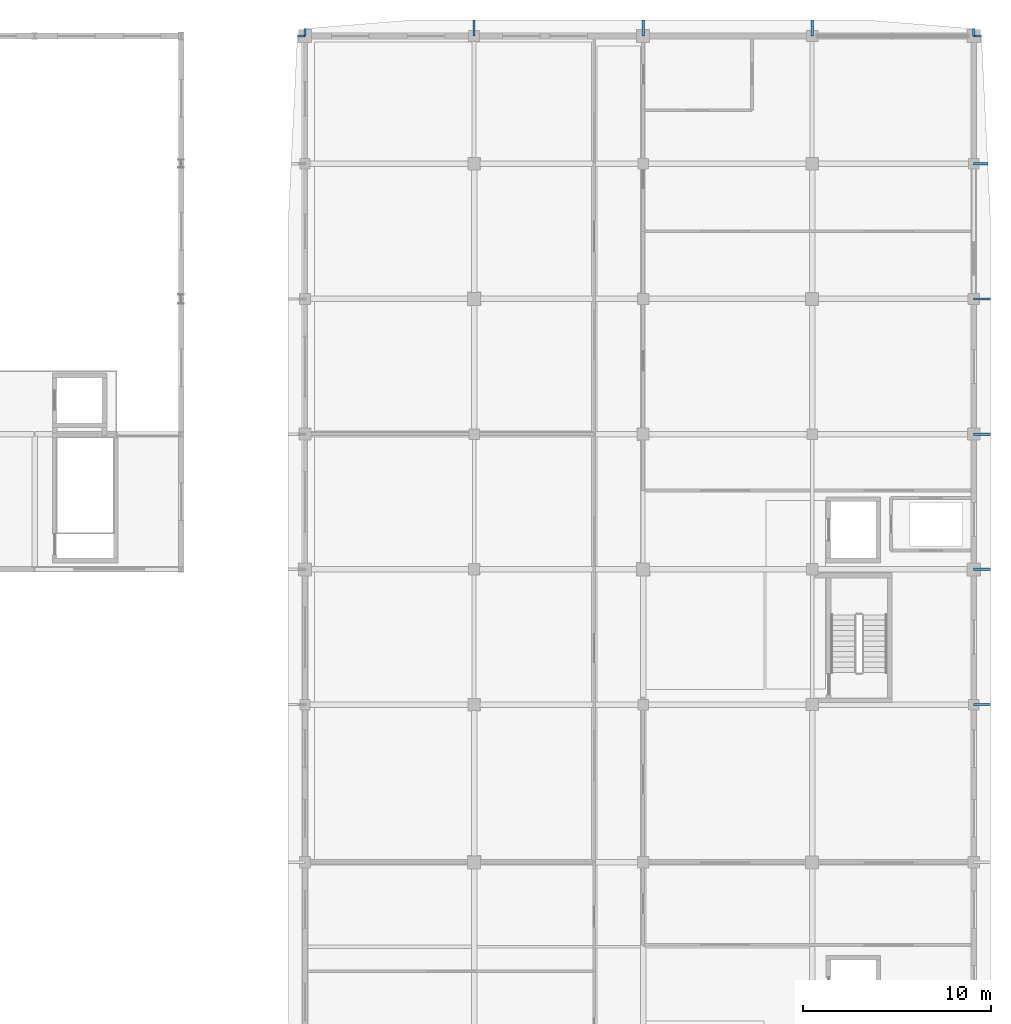
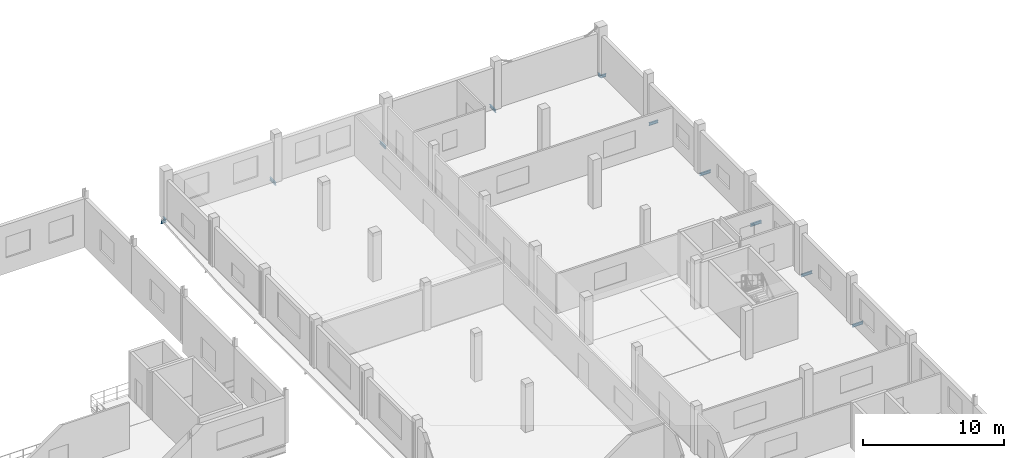
# One storey, part 78 of 121: 12 beams.
"""IFC4 building model written with IfcOpenShell, lengths in metres."""

from ifc_helpers import new_model, si_unit, direction, frame, origin, origin_2d, place, context, subcontext, project, spatial, i_section, extrude, material, material_profile, profile_set, type_object, element, save


model = new_model("IFC4")

# Units and contexts
model_context = context("Model", 3, precision=1e-05, world=origin(), true_north=direction((0.0, 1.0)))
body_context = subcontext(model_context, "Body", "Model", "MODEL_VIEW")
ifc_project = project(units=[si_unit("LENGTHUNIT", "METRE"), si_unit("AREAUNIT", "SQUARE_METRE"), si_unit("VOLUMEUNIT", "CUBIC_METRE"), si_unit("PLANEANGLEUNIT", "RADIAN"), si_unit("MASSUNIT", "GRAM", prefix="KILO")], contexts=[model_context])

# Site, building, storey
site_placement = place(None, origin())
site = spatial("IfcSite", under=ifc_project, at=site_placement, CompositionType="ELEMENT")
building_placement = place(site_placement, origin())
building = spatial("IfcBuilding", under=site, at=building_placement, Name="Vinh Khe Railworks Police Headquarters", CompositionType="ELEMENT")
storey_placement = place(building_placement, frame((0.0, 0.0, 4.800048828125)))
storey = spatial("IfcBuildingStorey", under=building, at=storey_placement, Name="L01", CompositionType="ELEMENT", Elevation=4.800048828125)

# Beams
ifc_material = material(Name="Steel S355JR", Category="steel")
ifc_material_profile = material_profile(ifc_material, i_section(OverallWidth=0.1201171875, OverallDepth=0.239990234375, WebThickness=0.006103515625, FlangeThickness=0.009765625, FilletRadius=0.014892578125, at=origin_2d()), Name="IPE 240")
ifc_profile_set = profile_set([ifc_material_profile], Name="Steel S355JR")
beam_type = type_object("IfcBeamType", Name="Monsoon Hood Outrigger IPE 240", PredefinedType="BEAM", material=ifc_profile_set)
beam_1_placement = place(storey_placement, frame((77.58740234375, 166.39990234375, -0.360107421875), z_axis=(1.0, 0.0, 0.0), x_axis=(0.0, 1.0, 0.0)))
element("IfcBeam", 1, at=beam_1_placement, inside=storey, type_object=beam_type, Name="Monsoon Sun-Hood Outrigger L01-153", PredefinedType="BEAM", context=body_context, shape_type="SweptSolid", body=[
    extrude(i_section(OverallWidth=0.1201171875, OverallDepth=0.239990234375, WebThickness=0.006103515625, FlangeThickness=0.009765625, FilletRadius=0.014892578125, at=origin_2d()), origin(), (0.0, 0.0, 1.0), 0.41259765625),
])
for number, where, z_axis, x_axis, name in (
    (2, (113.60009765625, 130.800048828125, -0.360107421875), (1.0, 0.0, 0.0), (0.0, 1.0, 0.0), "Monsoon Sun-Hood Outrigger L01-157"),
    (3, (113.60009765625, 138.0, -0.360107421875), (1.0, 0.0, 0.0), (0.0, 1.0, 0.0), "Monsoon Sun-Hood Outrigger L01-158"),
    (4, (113.60009765625, 145.199951171875, -0.360107421875), (1.0, 0.0, 0.0), (0.0, 1.0, 0.0), "Monsoon Sun-Hood Outrigger L01-159"),
    (5, (113.60009765625, 152.39990234375, -0.360107421875), (1.0, 0.0, 0.0), (0.0, 1.0, 0.0), "Monsoon Sun-Hood Outrigger L01-160"),
):
    element("IfcBeam", number, at=place(storey_placement, frame(where, z_axis=z_axis, x_axis=x_axis)), inside=storey, type_object=beam_type, Name=name, PredefinedType="BEAM", context=body_context, shape_type="SweptSolid", body=[
        extrude(i_section(OverallWidth=0.1201171875, OverallDepth=0.239990234375, WebThickness=0.006103515625, FlangeThickness=0.009765625, FilletRadius=0.014892578125, at=origin_2d()), origin(), (0.0, 0.0, 1.0), 0.89990234375),
    ])
beam_2_placement = place(storey_placement, frame((113.60009765625, 159.60009765625, -0.360107421875), z_axis=(1.0, 0.0, 0.0), x_axis=(0.0, 1.0, 0.0)))
element("IfcBeam", 6, at=beam_2_placement, inside=storey, type_object=beam_type, Name="Monsoon Sun-Hood Outrigger L01-161", PredefinedType="BEAM", context=body_context, shape_type="SweptSolid", body=[
    extrude(i_section(OverallWidth=0.1201171875, OverallDepth=0.239990234375, WebThickness=0.006103515625, FlangeThickness=0.009765625, FilletRadius=0.014892578125, at=origin_2d()), origin(), (0.0, 0.0, 1.0), 0.749755859375),
])
beam_3_placement = place(storey_placement, frame((113.60009765625, 166.39990234375, -0.360107421875), z_axis=(1.0, 0.0, 0.0), x_axis=(0.0, 1.0, 0.0)))
element("IfcBeam", 7, at=beam_3_placement, inside=storey, type_object=beam_type, Name="Monsoon Sun-Hood Outrigger L01-162", PredefinedType="BEAM", context=body_context, shape_type="SweptSolid", body=[
    extrude(i_section(OverallWidth=0.1201171875, OverallDepth=0.239990234375, WebThickness=0.006103515625, FlangeThickness=0.009765625, FilletRadius=0.014892578125, at=origin_2d()), origin(), (0.0, 0.0, 1.0), 0.4189453125),
])
beam_4_placement = place(storey_placement, frame((78.0, 166.39990234375, -0.360107421875), z_axis=(0.0, 1.0, 0.0), x_axis=(-1.0, 0.0, 0.0)))
element("IfcBeam", 8, at=beam_4_placement, inside=storey, type_object=beam_type, Name="Monsoon Sun-Hood Outrigger L01-163", PredefinedType="BEAM", context=body_context, shape_type="SweptSolid", body=[
    extrude(i_section(OverallWidth=0.1201171875, OverallDepth=0.239990234375, WebThickness=0.006103515625, FlangeThickness=0.009765625, FilletRadius=0.014892578125, at=origin_2d()), origin(), (0.0, 0.0, 1.0), 0.388671875),
])
for number, where, z_axis, x_axis, name in (
    (9, (87.0, 166.39990234375, -0.360107421875), (0.0, 1.0, 0.0), (-1.0, 0.0, 0.0), "Monsoon Sun-Hood Outrigger L01-164"),
    (10, (96.0, 166.39990234375, -0.360107421875), (0.0, 1.0, 0.0), (-1.0, 0.0, 0.0), "Monsoon Sun-Hood Outrigger L01-165"),
    (11, (105.0, 166.39990234375, -0.360107421875), (0.0, 1.0, 0.0), (-1.0, 0.0, 0.0), "Monsoon Sun-Hood Outrigger L01-166"),
):
    element("IfcBeam", number, at=place(storey_placement, frame(where, z_axis=z_axis, x_axis=x_axis)), inside=storey, type_object=beam_type, Name=name, PredefinedType="BEAM", context=body_context, shape_type="SweptSolid", body=[
        extrude(i_section(OverallWidth=0.1201171875, OverallDepth=0.239990234375, WebThickness=0.006103515625, FlangeThickness=0.009765625, FilletRadius=0.014892578125, at=origin_2d()), origin(), (0.0, 0.0, 1.0), 0.85009765625),
    ])
beam_5_placement = place(storey_placement, frame((113.60009765625, 166.39990234375, -0.360107421875), z_axis=(0.0, 1.0, 0.0), x_axis=(-1.0, 0.0, 0.0)))
element("IfcBeam", 12, at=beam_5_placement, inside=storey, type_object=beam_type, Name="Monsoon Sun-Hood Outrigger L01-167", PredefinedType="BEAM", context=body_context, shape_type="SweptSolid", body=[
    extrude(i_section(OverallWidth=0.1201171875, OverallDepth=0.239990234375, WebThickness=0.006103515625, FlangeThickness=0.009765625, FilletRadius=0.014892578125, at=origin_2d()), origin(), (0.0, 0.0, 1.0), 0.388671875),
])

save(model, "model.ifc")
